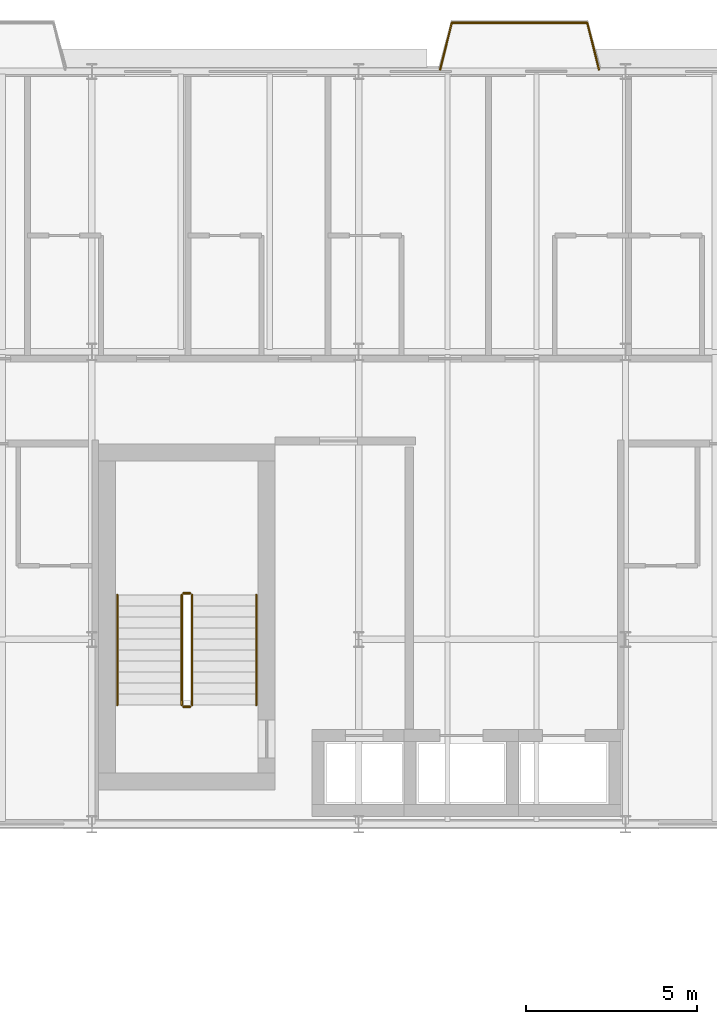
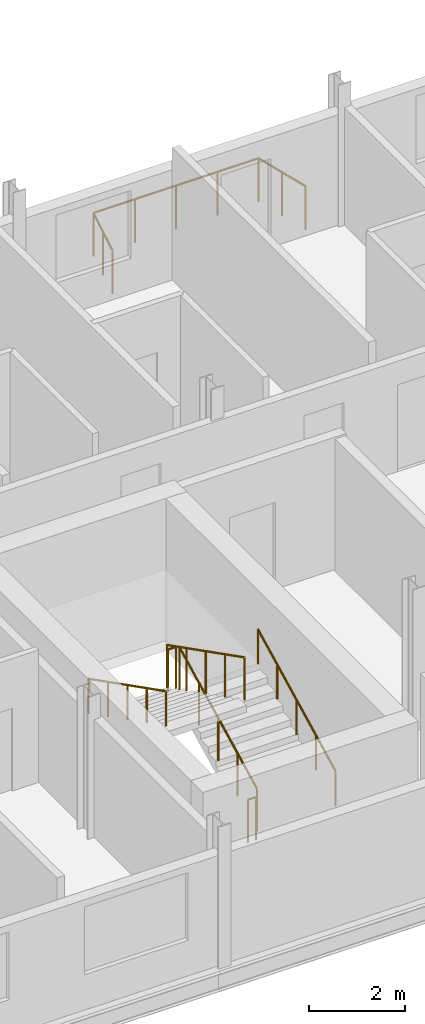
# One storey, part 35 of 36: 9 railings.
"""IFC4 building model written with IfcOpenShell, lengths in metres."""

from ifc_helpers import new_model, si_unit, direction, frame, origin, origin_2d, place, context, subcontext, project, spatial, circle, extrude, material, type_object, element, save


model = new_model("IFC4")

# Units and contexts
model_context = context("Model", 3, precision=1e-05, world=origin(), true_north=direction((0.0, 1.0)))
body_context = subcontext(model_context, "Body", "Model", "MODEL_VIEW")
ifc_project = project(units=[si_unit("LENGTHUNIT", "METRE"), si_unit("AREAUNIT", "SQUARE_METRE"), si_unit("VOLUMEUNIT", "CUBIC_METRE"), si_unit("PLANEANGLEUNIT", "RADIAN"), si_unit("MASSUNIT", "GRAM", prefix="KILO")], contexts=[model_context])

# Site, building, storey
site_placement = place(None, origin())
site = spatial("IfcSite", under=ifc_project, at=site_placement, CompositionType="ELEMENT")
building_placement = place(site_placement, origin())
building = spatial("IfcBuilding", under=site, at=building_placement, Name="Sefraquen Railside Congress Hotel", CompositionType="ELEMENT")
storey_placement = place(building_placement, frame((0.0, 0.0, 28.199951171875)))
storey = spatial("IfcBuildingStorey", under=building, at=storey_placement, Name="L06", CompositionType="ELEMENT", Elevation=28.199951171875)

# Railings
ifc_material = material(Name="Patinated wrought architectural bronze", Category="metal")
railing_type_1 = type_object("IfcRailingType", Name="TRL-BAL-110", PredefinedType="BALUSTRADE", material=ifc_material)
railing_1_placement = place(storey_placement, frame((74.3798828125, 118.050048828125, 0.0)))
element("IfcRailing", 1, at=railing_1_placement, inside=storey, type_object=railing_type_1, Name="Guest balcony Art Nouveau balustrade L06-04", PredefinedType="BALUSTRADE", context=body_context, shape_type="SweptSolid", body=[
    extrude(circle(Radius=0.02392578125, at=origin_2d()), frame((0.0, 0.0, 1.09619140625), z_axis=(0.240948040829, 0.970538016577, 0.0), x_axis=(-0.970538016577, 0.240948040829, 0.0)), (0.0, 0.0, 1.0), 1.411376953125),
    extrude(circle(Radius=0.02099609375, at=origin_2d()), origin(), (0.0, 0.0, 1.0), 1.072021484375),
    extrude(circle(Radius=0.02099609375, at=origin_2d()), frame((0.169921875, 0.68505859375, 0.0)), (0.0, 0.0, 1.0), 1.072021484375),
    extrude(circle(Radius=0.02099609375, at=origin_2d()), frame((0.340087890625, 1.369873046875, 0.0)), (0.0, 0.0, 1.0), 1.072021484375),
])
railing_2_placement = place(storey_placement, frame((74.719970703125, 119.419921875, 0.0)))
element("IfcRailing", 2, at=railing_2_placement, inside=storey, type_object=railing_type_1, Name="Guest balcony Art Nouveau balustrade L06-04", PredefinedType="BALUSTRADE", context=body_context, shape_type="SweptSolid", body=[
    extrude(circle(Radius=0.02392578125, at=origin_2d()), frame((0.0, 0.0, 1.09619140625), z_axis=(1.0, 0.0, 0.0), x_axis=(0.0, 1.0, 0.0)), (0.0, 0.0, 1.0), 3.9599609375),
    extrude(circle(Radius=0.02099609375, at=origin_2d()), origin(), (0.0, 0.0, 1.0), 1.072021484375),
    extrude(circle(Radius=0.02099609375, at=origin_2d()), frame((0.989990234375, 0.0, 0.0)), (0.0, 0.0, 1.0), 1.072021484375),
    extrude(circle(Radius=0.02099609375, at=origin_2d()), frame((1.97998046875, 0.0, 0.0)), (0.0, 0.0, 1.0), 1.072021484375),
    extrude(circle(Radius=0.02099609375, at=origin_2d()), frame((2.969970703125, 0.0, 0.0)), (0.0, 0.0, 1.0), 1.072021484375),
    extrude(circle(Radius=0.02099609375, at=origin_2d()), frame((3.9599609375, 0.0, 0.0)), (0.0, 0.0, 1.0), 1.072021484375),
])
railing_3_placement = place(storey_placement, frame((78.679931640625, 119.419921875, 0.0)))
element("IfcRailing", 3, at=railing_3_placement, inside=storey, type_object=railing_type_1, Name="Guest balcony Art Nouveau balustrade L06-04", PredefinedType="BALUSTRADE", context=body_context, shape_type="SweptSolid", body=[
    extrude(circle(Radius=0.02392578125, at=origin_2d()), frame((0.0, 0.0, 1.09619140625), z_axis=(0.240948040829, -0.970538016577, 0.0), x_axis=(0.970538016577, 0.240948040829, 0.0)), (0.0, 0.0, 1.0), 1.411376953125),
    extrude(circle(Radius=0.02099609375, at=origin_2d()), origin(), (0.0, 0.0, 1.0), 1.072021484375),
    extrude(circle(Radius=0.02099609375, at=origin_2d()), frame((0.169921875, -0.68505859375, 0.0)), (0.0, 0.0, 1.0), 1.072021484375),
    extrude(circle(Radius=0.02099609375, at=origin_2d()), frame((0.340087890625, -1.369873046875, 0.0)), (0.0, 0.0, 1.0), 1.072021484375),
])
railing_4_placement = place(storey_placement, frame((67.1298828125, 99.47998046875, 0.16357421875)))
element("IfcRailing", 4, at=railing_4_placement, inside=storey, type_object=railing_type_1, Name="L06 ST-H03 stair guard 1", PredefinedType="BALUSTRADE", context=body_context, shape_type="SweptSolid", body=[
    extrude(circle(Radius=0.02392578125, at=origin_2d()), frame((0.0, 0.0, 1.076171875), z_axis=(0.0, 0.891474443924, 0.453070983215), x_axis=(-1.0, 0.0, 0.0)), (0.0, 0.0, 1.0), 3.612060546875),
    extrude(circle(Radius=0.02099609375, at=origin_2d()), origin(), (0.0, 0.0, 1.0), 1.052001953125),
    extrude(circle(Radius=0.02099609375, at=origin_2d()), frame((0.0, 0.804931640625, 0.4091796875)), (0.0, 0.0, 1.0), 1.052001953125),
    extrude(circle(Radius=0.02099609375, at=origin_2d()), frame((0.0, 1.60986328125, 0.818359375)), (0.0, 0.0, 1.0), 1.052001953125),
    extrude(circle(Radius=0.02099609375, at=origin_2d()), frame((0.0, 2.4150390625, 1.227294921875)), (0.0, 0.0, 1.0), 1.052001953125),
    extrude(circle(Radius=0.02099609375, at=origin_2d()), frame((0.0, 3.219970703125, 1.636474609375)), (0.0, 0.0, 1.0), 1.052001953125),
])
railing_5_placement = place(storey_placement, frame((67.080078125, 102.75, 1.800048828125)))
element("IfcRailing", 5, at=railing_5_placement, inside=storey, type_object=railing_type_1, Name="L06 ST-H03 stair guard 2", PredefinedType="BALUSTRADE", context=body_context, shape_type="SweptSolid", body=[
    extrude(circle(Radius=0.02392578125, at=origin_2d()), frame((0.0, 0.0, 1.076171875), z_axis=(-1.0, 0.0, 0.0), x_axis=(0.0, -1.0, 0.0)), (0.0, 0.0, 1.0), 0.2001953125),
    extrude(circle(Radius=0.02099609375, at=origin_2d()), origin(), (0.0, 0.0, 1.0), 1.052001953125),
    extrude(circle(Radius=0.02099609375, at=origin_2d()), frame((-0.2001953125, 0.0, 0.0)), (0.0, 0.0, 1.0), 1.052001953125),
])
railing_6_placement = place(storey_placement, frame((66.830078125, 102.699951171875, 1.963623046875)))
element("IfcRailing", 6, at=railing_6_placement, inside=storey, type_object=railing_type_1, Name="L06 ST-H03 stair guard 3", PredefinedType="BALUSTRADE", context=body_context, shape_type="SweptSolid", body=[
    extrude(circle(Radius=0.02392578125, at=origin_2d()), frame((0.0, 0.0, 1.076171875), z_axis=(0.0, -0.891474443924, 0.453070983215), x_axis=(1.0, 0.0, 0.0)), (0.0, 0.0, 1.0), 3.612060546875),
    extrude(circle(Radius=0.02099609375, at=origin_2d()), origin(), (0.0, 0.0, 1.0), 1.052001953125),
    extrude(circle(Radius=0.02099609375, at=origin_2d()), frame((0.0, -0.804931640625, 0.4091796875)), (0.0, 0.0, 1.0), 1.052001953125),
    extrude(circle(Radius=0.02099609375, at=origin_2d()), frame((0.0, -1.60986328125, 0.818359375)), (0.0, 0.0, 1.0), 1.052001953125),
    extrude(circle(Radius=0.02099609375, at=origin_2d()), frame((0.0, -2.4150390625, 1.227294921875)), (0.0, 0.0, 1.0), 1.052001953125),
    extrude(circle(Radius=0.02099609375, at=origin_2d()), frame((0.0, -3.219970703125, 1.636474609375)), (0.0, 0.0, 1.0), 1.052001953125),
])
railing_7_placement = place(storey_placement, frame((67.080078125, 99.429931640625, 0.0)))
element("IfcRailing", 7, at=railing_7_placement, inside=storey, type_object=railing_type_1, Name="L06 ST-H03 stair guard 4", PredefinedType="BALUSTRADE", context=body_context, shape_type="SweptSolid", body=[
    extrude(circle(Radius=0.02392578125, at=origin_2d()), frame((0.0, 0.0, 1.076171875), z_axis=(-1.0, 0.0, 0.0), x_axis=(0.0, -1.0, 0.0)), (0.0, 0.0, 1.0), 0.2001953125),
    extrude(circle(Radius=0.02099609375, at=origin_2d()), origin(), (0.0, 0.0, 1.0), 1.052001953125),
    extrude(circle(Radius=0.02099609375, at=origin_2d()), frame((-0.2001953125, 0.0, 0.0)), (0.0, 0.0, 1.0), 1.052001953125),
])
railing_type_2 = type_object("IfcRailingType", Name="TRL-HR-090", PredefinedType="HANDRAIL", material=ifc_material)
railing_8_placement = place(storey_placement, frame((69.010009765625, 99.47998046875, 0.16357421875)))
element("IfcRailing", 8, at=railing_8_placement, inside=storey, type_object=railing_type_2, Name="L06 ST-H03 stair handrail 1", PredefinedType="HANDRAIL", context=body_context, shape_type="SweptSolid", body=[
    extrude(circle(Radius=0.02392578125, at=origin_2d()), frame((0.0, 0.0, 0.8759765625), z_axis=(0.0, 0.891474443924, 0.453070983215), x_axis=(-1.0, 0.0, 0.0)), (0.0, 0.0, 1.0), 3.612060546875),
    extrude(circle(Radius=0.02099609375, at=origin_2d()), origin(), (0.0, 0.0, 1.0), 0.851806640625),
    extrude(circle(Radius=0.02099609375, at=origin_2d()), frame((0.0, 0.804931640625, 0.4091796875)), (0.0, 0.0, 1.0), 0.851806640625),
    extrude(circle(Radius=0.02099609375, at=origin_2d()), frame((0.0, 1.60986328125, 0.818359375)), (0.0, 0.0, 1.0), 0.851806640625),
    extrude(circle(Radius=0.02099609375, at=origin_2d()), frame((0.0, 2.4150390625, 1.227294921875)), (0.0, 0.0, 1.0), 0.851806640625),
    extrude(circle(Radius=0.02099609375, at=origin_2d()), frame((0.0, 3.219970703125, 1.636474609375)), (0.0, 0.0, 1.0), 0.851806640625),
])
railing_9_placement = place(storey_placement, frame((64.949951171875, 102.699951171875, 1.963623046875)))
element("IfcRailing", 9, at=railing_9_placement, inside=storey, type_object=railing_type_2, Name="L06 ST-H03 stair handrail 2", PredefinedType="HANDRAIL", context=body_context, shape_type="SweptSolid", body=[
    extrude(circle(Radius=0.02392578125, at=origin_2d()), frame((0.0, 0.0, 0.8759765625), z_axis=(0.0, -0.891474443924, 0.453070983215), x_axis=(1.0, 0.0, 0.0)), (0.0, 0.0, 1.0), 3.612060546875),
    extrude(circle(Radius=0.02099609375, at=origin_2d()), origin(), (0.0, 0.0, 1.0), 0.851806640625),
    extrude(circle(Radius=0.02099609375, at=origin_2d()), frame((0.0, -0.804931640625, 0.4091796875)), (0.0, 0.0, 1.0), 0.851806640625),
    extrude(circle(Radius=0.02099609375, at=origin_2d()), frame((0.0, -1.60986328125, 0.818359375)), (0.0, 0.0, 1.0), 0.851806640625),
    extrude(circle(Radius=0.02099609375, at=origin_2d()), frame((0.0, -2.4150390625, 1.227294921875)), (0.0, 0.0, 1.0), 0.851806640625),
    extrude(circle(Radius=0.02099609375, at=origin_2d()), frame((0.0, -3.219970703125, 1.636474609375)), (0.0, 0.0, 1.0), 0.851806640625),
])

save(model, "model.ifc")
